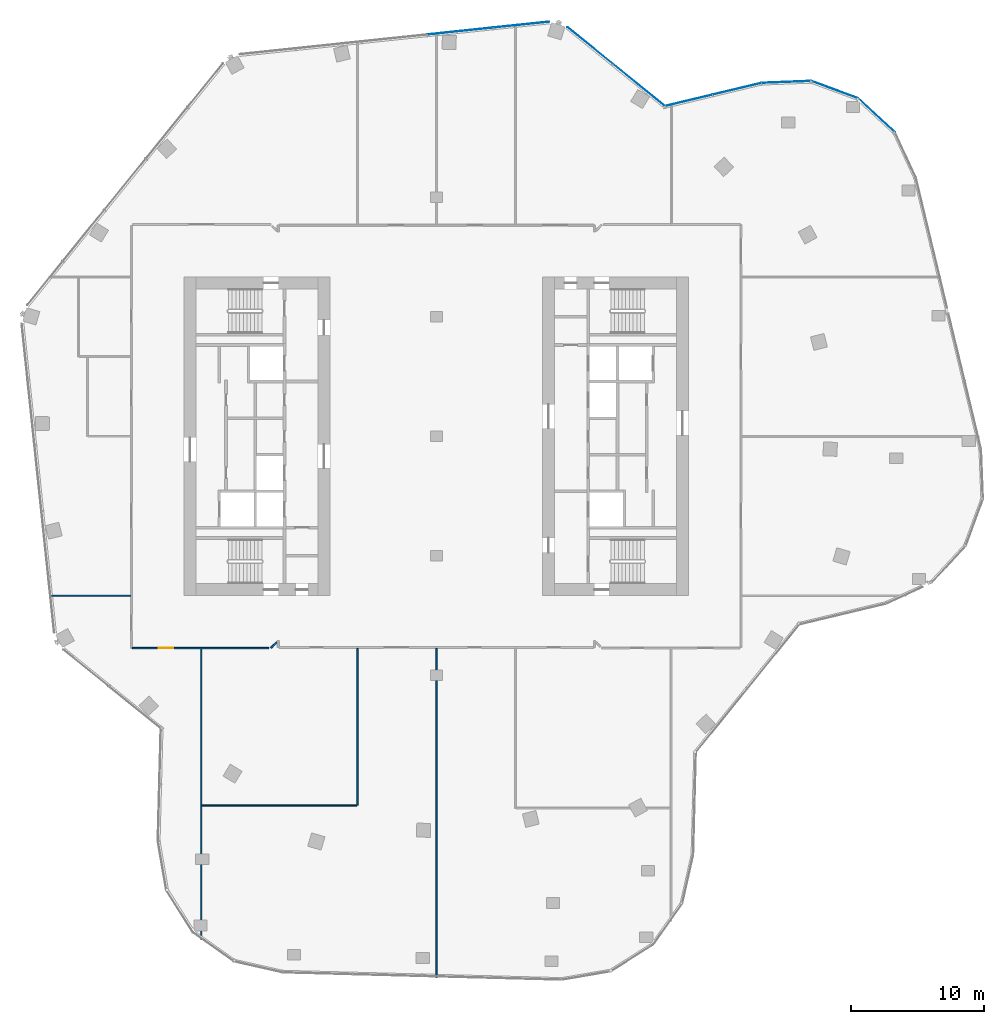
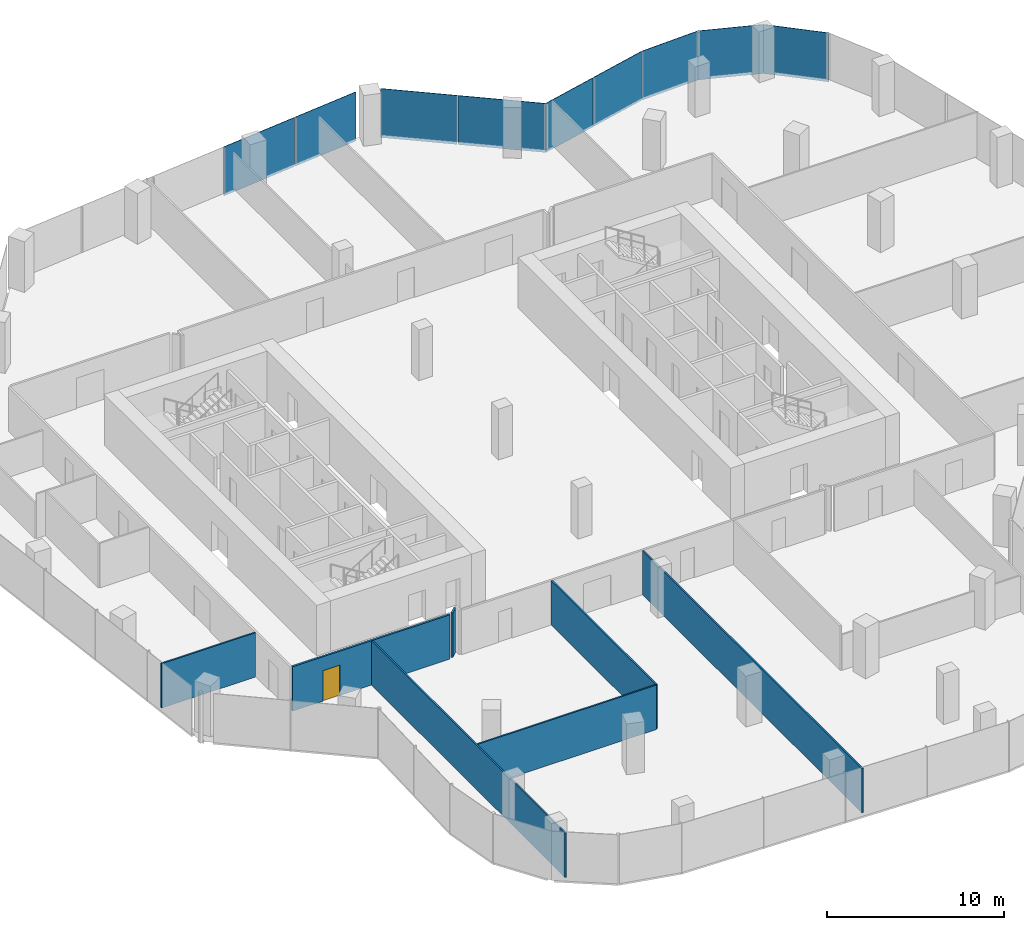
# One storey, part 17 of 23: 9 plates, 7 walls, 1 door, 1 opening, 6 elements without a shape of their own.
"""IFC4 building model written with IfcOpenShell, lengths in metres."""

from ifc_helpers import new_model, si_unit, direction, frame, frame_2d, origin, origin_2d, place, context, subcontext, project, spatial, rectangle, extrude, material, layer, layer_set, type_object, element, fill, aggregate, save


model = new_model("IFC4")

# Units and contexts
model_context = context("Model", 3, precision=1e-05, world=origin(), true_north=direction((0.0, 1.0)))
body_context = subcontext(model_context, "Body", "Model", "MODEL_VIEW")
ifc_project = project(units=[si_unit("LENGTHUNIT", "METRE"), si_unit("AREAUNIT", "SQUARE_METRE"), si_unit("VOLUMEUNIT", "CUBIC_METRE"), si_unit("PLANEANGLEUNIT", "RADIAN"), si_unit("MASSUNIT", "GRAM", prefix="KILO")], contexts=[model_context])

# Site, building, storey
site_placement = place(None, origin())
site = spatial("IfcSite", under=ifc_project, at=site_placement, CompositionType="ELEMENT")
building_placement = place(site_placement, origin())
building = spatial("IfcBuilding", under=site, at=building_placement, Name="Orlundy Tower", CompositionType="ELEMENT")
storey_placement = place(building_placement, frame((0.0, 0.0, 221.0)))
storey = spatial("IfcBuildingStorey", under=building, at=storey_placement, Name="L58", CompositionType="ELEMENT", Elevation=221.0)

# Curtain wall, plates
ifc_material_1 = material(Name="Aluminium bronze anodised", Category="aluminium")
curtain_wall_type = type_object("IfcCurtainWallType", Name="CW1 wall", PredefinedType="NOTDEFINED", material=ifc_material_1)
curtain_wall_1_placement = place(storey_placement, origin())
curtain_wall_1 = element("IfcCurtainWall", 1, at=curtain_wall_1_placement, inside=storey, type_object=curtain_wall_type, Name="CW1 run 04", PredefinedType="NOTDEFINED")
ifc_material_2 = material(Name="Tinted glass", Category="glass")
ifc_layer_1 = layer(ifc_material_2, 0.031982421875)
ifc_layer_set_1 = layer_set([ifc_layer_1], Name="CW1 glass panel 32")
plate_type = type_object("IfcPlateType", Name="CW1 glass panel 32", PredefinedType="CURTAIN_PANEL", material=ifc_layer_set_1)
plate_1_placement = place(storey_placement, frame((1.7900390625, 30.518798828125, -0.300048828125), z_axis=(0.0, 0.0, 1.0), x_axis=(0.994520875843, 0.104538162943, 0.0)))
plate_1 = element("IfcPlate", 2, at=plate_1_placement, type_object=plate_type, Name="CW1 panel", PredefinedType="CURTAIN_PANEL", context=body_context, shape_type="SweptSolid", body=[
    extrude(rectangle(XDim=4.92041015625, YDim=0.031982421875, at=origin_2d()), origin(), (0.0, 0.0, 1.0), 3.3798828125),
])
plate_2_placement = place(storey_placement, frame((6.3896484375, 31.002197265625, -0.300048828125), z_axis=(0.0, 0.0, 1.0), x_axis=(0.994520875843, 0.104538162943, 0.0)))
plate_2 = element("IfcPlate", 3, at=plate_2_placement, type_object=plate_type, Name="CW1 panel", PredefinedType="CURTAIN_PANEL", context=body_context, shape_type="SweptSolid", body=[
    extrude(rectangle(XDim=4.229248046875, YDim=0.031982421875, at=origin_2d()), origin(), (0.0, 0.0, 1.0), 3.3798828125),
])
aggregate(curtain_wall_1, [plate_1, plate_2])

curtain_wall_2_placement = place(storey_placement, origin())
curtain_wall_2 = element("IfcCurtainWall", 4, at=curtain_wall_2_placement, inside=storey, type_object=curtain_wall_type, Name="CW1 run 05", PredefinedType="NOTDEFINED")
plate_3_placement = place(storey_placement, frame((11.583251953125, 29.433837890625, -0.300048828125), z_axis=(0.0, 0.0, 1.0), x_axis=(0.777128847743, -0.629341524139, 0.0)))
plate_3 = element("IfcPlate", 5, at=plate_3_placement, type_object=plate_type, Name="CW1 panel", PredefinedType="CURTAIN_PANEL", context=body_context, shape_type="SweptSolid", body=[
    extrude(rectangle(XDim=4.37646484375, YDim=0.031982421875, at=origin_2d()), origin(), (0.0, 0.0, 1.0), 3.3798828125),
])
plate_4_placement = place(storey_placement, frame((15.2705078125, 26.44775390625, -0.300048828125), z_axis=(0.0, 0.0, 1.0), x_axis=(0.777128847743, -0.629341524139, 0.0)))
plate_4 = element("IfcPlate", 6, at=plate_4_placement, type_object=plate_type, Name="CW1 panel", PredefinedType="CURTAIN_PANEL", context=body_context, shape_type="SweptSolid", body=[
    extrude(rectangle(XDim=5.012939453125, YDim=0.031982421875, at=origin_2d()), origin(), (0.0, 0.0, 1.0), 3.3798828125),
])
aggregate(curtain_wall_2, [plate_3, plate_4])

curtain_wall_3_placement = place(storey_placement, origin())
curtain_wall_3 = element("IfcCurtainWall", 7, at=curtain_wall_3_placement, inside=storey, type_object=curtain_wall_type, Name="CW1 run 06", PredefinedType="NOTDEFINED")
plate_5_placement = place(storey_placement, frame((18.997802734375, 25.2978515625, -0.300048828125), z_axis=(0.0, 0.0, 1.0), x_axis=(0.972349931339, 0.233528608579, 0.0)))
plate_5 = element("IfcPlate", 8, at=plate_5_placement, type_object=plate_type, Name="CW1 panel", PredefinedType="CURTAIN_PANEL", context=body_context, shape_type="SweptSolid", body=[
    extrude(rectangle(XDim=3.66015625, YDim=0.031982421875, at=origin_2d()), origin(), (0.0, 0.0, 1.0), 3.3798828125),
])
plate_6_placement = place(storey_placement, frame((22.640625, 26.172607421875, -0.300048828125), z_axis=(0.0, 0.0, 1.0), x_axis=(0.972349931339, 0.233528608579, 0.0)))
plate_6 = element("IfcPlate", 9, at=plate_6_placement, type_object=plate_type, Name="CW1 panel", PredefinedType="CURTAIN_PANEL", context=body_context, shape_type="SweptSolid", body=[
    extrude(rectangle(XDim=3.732177734375, YDim=0.031982421875, at=origin_2d()), origin(), (0.0, 0.0, 1.0), 3.3798828125),
])
aggregate(curtain_wall_3, [plate_5, plate_6])

# Curtain wall, plate
curtain_wall_4_placement = place(storey_placement, origin())
curtain_wall_4 = element("IfcCurtainWall", 10, at=curtain_wall_4_placement, inside=storey, type_object=curtain_wall_type, Name="CW1 run 07", PredefinedType="NOTDEFINED")
plate_7_placement = place(storey_placement, frame((26.368408203125, 26.688232421875, -0.300048828125), z_axis=(0.0, 0.0, 1.0), x_axis=(0.999234640913, 0.039116906831, 0.0)))
plate_7 = element("IfcPlate", 11, at=plate_7_placement, type_object=plate_type, Name="CW1 panel", PredefinedType="CURTAIN_PANEL", context=body_context, shape_type="SweptSolid", body=[
    extrude(rectangle(XDim=3.73046875, YDim=0.031982421875, at=origin_2d()), origin(), (0.0, 0.0, 1.0), 3.3798828125),
])
aggregate(curtain_wall_4, [plate_7])

curtain_wall_5_placement = place(storey_placement, origin())
curtain_wall_5 = element("IfcCurtainWall", 12, at=curtain_wall_5_placement, inside=storey, type_object=curtain_wall_type, Name="CW1 run 08", PredefinedType="NOTDEFINED")
plate_8_placement = place(storey_placement, frame((30.001708984375, 26.1083984375, -0.300048828125), z_axis=(0.0, 0.0, 1.0), x_axis=(0.938200265188, -0.346092852283, 0.0)))
plate_8 = element("IfcPlate", 13, at=plate_8_placement, type_object=plate_type, Name="CW1 panel", PredefinedType="CURTAIN_PANEL", context=body_context, shape_type="SweptSolid", body=[
    extrude(rectangle(XDim=3.772216796875, YDim=0.031982421875, at=origin_2d()), origin(), (0.0, 0.0, 1.0), 3.3798828125),
])
aggregate(curtain_wall_5, [plate_8])

curtain_wall_6_placement = place(storey_placement, origin())
curtain_wall_6 = element("IfcCurtainWall", 14, at=curtain_wall_6_placement, inside=storey, type_object=curtain_wall_type, Name="CW1 run 09", PredefinedType="NOTDEFINED")
plate_9_placement = place(storey_placement, frame((33.15625, 24.175537109375, -0.300048828125), z_axis=(0.0, 0.0, 1.0), x_axis=(0.734348182738, -0.678772971258, 0.0)))
plate_9 = element("IfcPlate", 15, at=plate_9_placement, type_object=plate_type, Name="CW1 panel", PredefinedType="CURTAIN_PANEL", context=body_context, shape_type="SweptSolid", body=[
    extrude(rectangle(XDim=3.77197265625, YDim=0.031982421875, at=origin_2d()), origin(), (0.0, 0.0, 1.0), 3.3798828125),
])
aggregate(curtain_wall_6, [plate_9])

# Walls
ifc_material_3 = material(Name="Gypsum board partition")
ifc_layer_2 = layer(ifc_material_3, 0.10009765625)
ifc_layer_set_2 = layer_set([ifc_layer_2], Name="Floor partition 100")
wall_type_1 = type_object("IfcWallType", Name="Floor partition 100", PredefinedType="PARTITIONING", material=ifc_layer_set_2)
wall_1_placement = place(storey_placement, frame((-17.654052734375, -27.800048828125, 0.0), z_axis=(0.0, 0.0, 1.0), x_axis=(1.0, 0.0, 0.0)))
element("IfcWall", 16, at=wall_1_placement, inside=storey, type_object=wall_type_1, Name="wall-int-L58-004", PredefinedType="PARTITIONING", context=body_context, shape_type="SweptSolid", body=[
    extrude(rectangle(XDim=11.655029296875, YDim=0.10009765625, at=frame_2d((5.82763671875, 0.0))), origin(), (0.0, 0.0, 1.0), 3.06005859375),
])
wall_2_placement = place(storey_placement, frame((-29.156005859375, -12.0, 0.0), z_axis=(0.0, 0.0, 1.0), x_axis=(1.0, 0.0, 0.0)))
element("IfcWall", 17, at=wall_2_placement, inside=storey, type_object=wall_type_1, Name="wall-int-L58-008", PredefinedType="PARTITIONING", context=body_context, shape_type="SweptSolid", body=[
    extrude(rectangle(XDim=6.14404296875, YDim=0.10009765625, at=frame_2d((3.072021484375, 0.0))), origin(), (0.0, 0.0, 1.0), 3.06005859375),
])
wall_3_placement = place(storey_placement, frame((0.0, -40.763916015625, 0.0), z_axis=(0.0, 0.0, 1.0), x_axis=(0.0, 1.0, 0.0)))
element("IfcWall", 18, at=wall_3_placement, inside=storey, type_object=wall_type_1, Name="wall-int-L58-027", PredefinedType="PARTITIONING", context=body_context, shape_type="SweptSolid", body=[
    extrude(rectangle(XDim=24.801025390625, YDim=0.10009765625, at=frame_2d((12.400390625, 0.0))), origin(), (0.0, 0.0, 1.0), 3.06005859375),
])
wall_4_placement = place(storey_placement, frame((-5.948974609375, -27.800048828125, 0.0), z_axis=(0.0, 0.0, 1.0), x_axis=(0.0, 1.0, 0.0)))
element("IfcWall", 19, at=wall_4_placement, inside=storey, type_object=wall_type_1, Name="wall-int-L58-029", PredefinedType="PARTITIONING", context=body_context, shape_type="SweptSolid", body=[
    extrude(rectangle(XDim=11.837158203125, YDim=0.10009765625, at=frame_2d((5.91845703125, 0.0))), origin(), (0.0, 0.0, 1.0), 3.06005859375),
])
wall_5_placement = place(storey_placement, frame((-17.7041015625, -37.909912109375, 0.0), z_axis=(0.0, 0.0, 1.0), x_axis=(0.0, 1.0, 0.0)))
element("IfcWall", 20, at=wall_5_placement, inside=storey, type_object=wall_type_1, Name="wall-int-L58-033", PredefinedType="PARTITIONING", context=body_context, shape_type="SweptSolid", body=[
    extrude(rectangle(XDim=21.89599609375, YDim=0.10009765625, at=frame_2d((10.947998046875, 0.0))), origin(), (0.0, 0.0, 1.0), 3.06005859375),
])

# Wall, opening, door
ifc_material_4 = material(Name="Gypsum board partition, double layer")
ifc_layer_3 = layer(ifc_material_4, 0.125)
ifc_layer_set_3 = layer_set([ifc_layer_3], Name="Floor partition 125")
wall_type_2 = type_object("IfcWallType", Name="Floor partition 125", PredefinedType="PARTITIONING", material=ifc_layer_set_3)
wall_6_placement = place(storey_placement, frame((-12.611083984375, -15.950927734375, 0.0), z_axis=(0.0, 0.0, 1.0), x_axis=(-1.0, 0.0, 0.0)))
wall_6 = element("IfcWall", 21, at=wall_6_placement, inside=storey, type_object=wall_type_2, Name="wall-int-L58-005", PredefinedType="PARTITIONING", context=body_context, shape_type="SweptSolid", body=[
    extrude(rectangle(XDim=10.27587890625, YDim=0.125, at=frame_2d((5.137939453125, 0.0))), origin(), (0.0, 0.0, 1.0), 3.06005859375),
])
opening_placement = place(wall_6_placement, frame((7.193115234375, 0.0, 0.0)))
opening = element("IfcOpeningElement", 22, at=opening_placement, cuts=wall_6, Name="Opening 45101", PredefinedType="OPENING", context=body_context, shape_type="SweptSolid", body=[
    extrude(rectangle(XDim=1.10009765625, YDim=2.10009765625, at=frame_2d((0.550048828125, 1.050048828125))), frame((0.0, 0.072509765625, 0.0), z_axis=(0.0, -1.0, 0.0), x_axis=(1.0, 0.0, 0.0)), (0.0, 0.0, 1.0), 0.14501953125),
])
ifc_material_5 = material(Name="Timber door leaf", Category="wood")
door_type = type_object("IfcDoorType", Name="Floor door xwide 1100 FD30S", OperationType="NOTDEFINED", PredefinedType="DOOR", material=ifc_material_5)
door_placement = place(opening_placement, origin())
door = element("IfcDoor", 23, at=door_placement, inside=storey, type_object=door_type, Name="Door 45101", OperationType="SINGLE_SWING_RIGHT", OverallHeight=2.10009765625, OverallWidth=1.10009765625, PredefinedType="DOOR", context=body_context, shape_type="SweptSolid", body=[
    extrude(rectangle(XDim=1.10009765625, YDim=2.10009765625, at=frame_2d((0.550048828125, 1.050048828125))), frame((0.0, 0.02490234375, 0.0), z_axis=(0.0, -1.0, 0.0), x_axis=(1.0, 0.0, 0.0)), (0.0, 0.0, 1.0), 0.050048828125),
])
fill(opening, door)

# Wall
wall_7_placement = place(storey_placement, frame((-12.452880859375, -15.930908203125, 0.0), z_axis=(0.0, 0.0, 1.0), x_axis=(0.707106781187, 0.707106781187, 0.0)))
element("IfcWall", 24, at=wall_7_placement, inside=storey, type_object=wall_type_2, Name="wall-int-L58-018", PredefinedType="PARTITIONING", context=body_context, shape_type="SweptSolid", body=[
    extrude(rectangle(XDim=0.599365234375, YDim=0.125, at=frame_2d((0.2998046875, 0.0))), origin(), (0.0, 0.0, 1.0), 3.06005859375),
])

save(model, "model.ifc")
